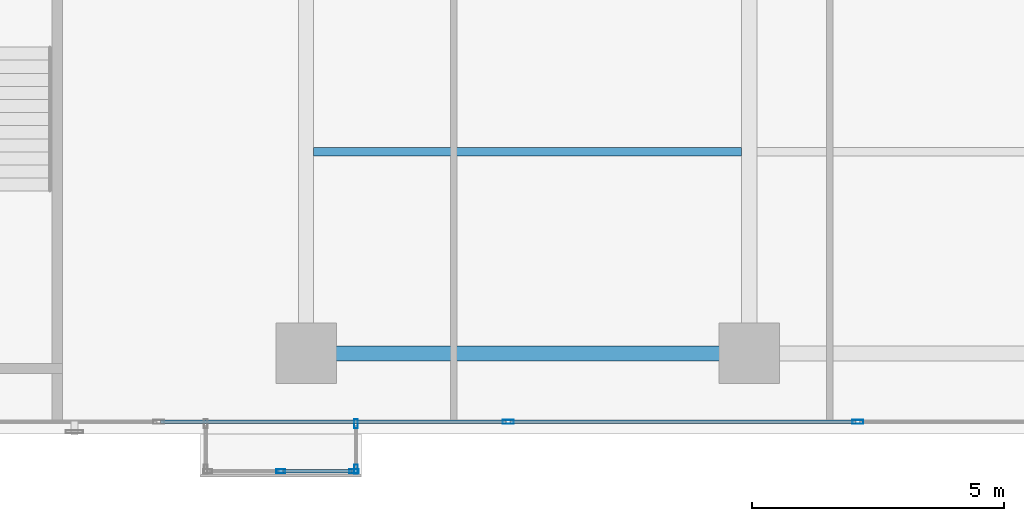
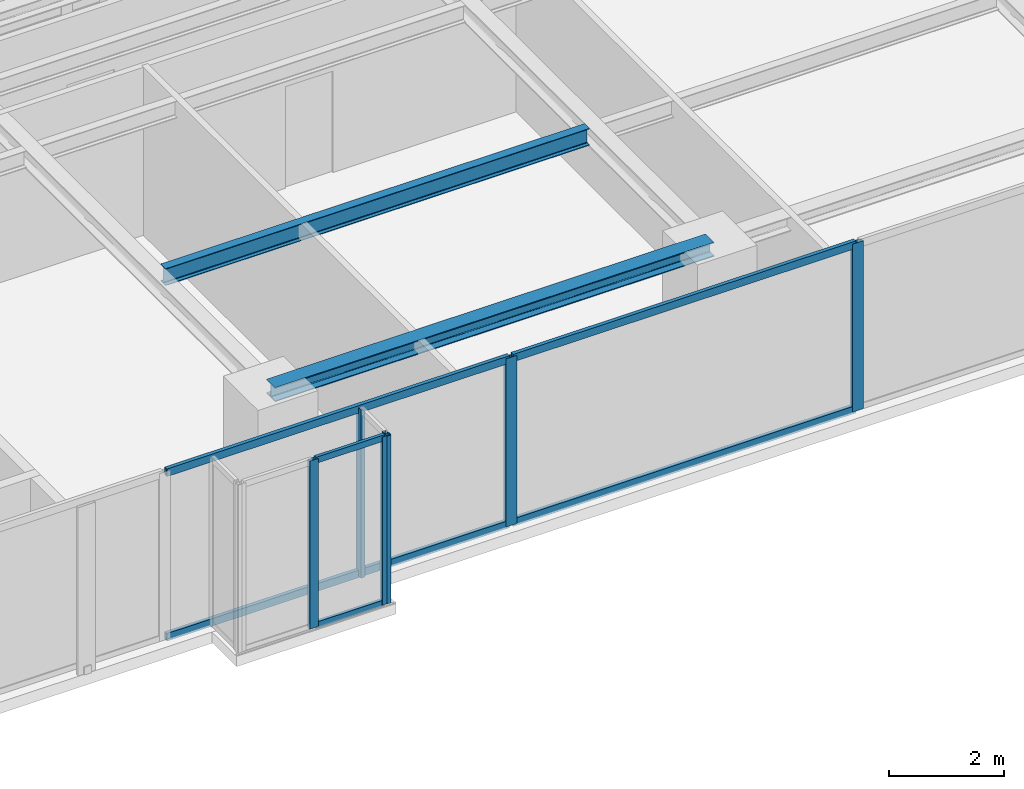
# One storey, part 11 of 27: 12 members, 2 beams, 3 elements without a shape of their own.
"""IFC4 building model written with IfcOpenShell, lengths in metres."""

from ifc_helpers import new_model, si_unit, direction, frame, origin, origin_with_axes, origin_2d, place, context, subcontext, project, spatial, hollow_rectangle, i_section, extrude, source, transform, mapped, material, layer, layer_set, material_profile, profile_set, type_object, element, aggregate, save


model = new_model("IFC4")

# Units and contexts
model_context = context("Model", 3, precision=1e-05, world=origin(), true_north=direction((0.0, 1.0)))
body_context = subcontext(model_context, "Body", "Model", "MODEL_VIEW")
ifc_project = project(units=[si_unit("LENGTHUNIT", "METRE"), si_unit("AREAUNIT", "SQUARE_METRE"), si_unit("VOLUMEUNIT", "CUBIC_METRE"), si_unit("PLANEANGLEUNIT", "RADIAN"), si_unit("MASSUNIT", "GRAM", prefix="KILO")], contexts=[model_context])

# Site, building, storey
site_placement = place(None, origin())
site = spatial("IfcSite", under=ifc_project, at=site_placement, CompositionType="ELEMENT")
building_placement = place(site_placement, origin())
building = spatial("IfcBuilding", under=site, at=building_placement, Name="Kolvaren Waterfront Exchange", CompositionType="ELEMENT")
storey_placement = place(building_placement, frame((0.0, 0.0, 191.800048828125)))
storey = spatial("IfcBuildingStorey", under=building, at=storey_placement, Name="L49", CompositionType="ELEMENT", Elevation=191.800048828125)

# Beams
ifc_material_1 = material(Name="Steel S355", Category="steel")
ifc_material_profile_1 = material_profile(ifc_material_1, i_section(OverallWidth=0.300048828125, OverallDepth=0.300048828125, WebThickness=0.010986328125, FlangeThickness=0.01904296875, FilletRadius=0.027099609375, at=origin_2d()), Name="HEB300")
ifc_profile_set_1 = profile_set([ifc_material_profile_1], Name="Steel S355")
beam_type_1 = type_object("IfcBeamType", Name="STR-BM-HEB300", PredefinedType="SPANDREL", material=ifc_profile_set_1)
beam_1_placement = place(storey_placement, frame((36.800048828125, 5.199951171875, 3.409912109375), z_axis=(1.0, 0.0, 0.0), x_axis=(0.0, 1.0, 0.0)))
element("IfcBeam", 1, at=beam_1_placement, inside=storey, type_object=beam_type_1, Name="L49 east-arm spandrel S3", PredefinedType="SPANDREL", context=body_context, shape_type="SweptSolid", body=[
    extrude(i_section(OverallWidth=0.300048828125, OverallDepth=0.300048828125, WebThickness=0.010986328125, FlangeThickness=0.01904296875, FilletRadius=0.027099609375, at=origin_2d()), origin(), (0.0, 0.0, 1.0), 8.800048828125),
])
ifc_material_profile_2 = material_profile(ifc_material_1, i_section(OverallWidth=0.169921875, OverallDepth=0.360107421875, WebThickness=0.008056640625, FlangeThickness=0.0126953125, FilletRadius=0.01806640625, at=origin_2d()), Name="IPE360")
ifc_profile_set_2 = profile_set([ifc_material_profile_2], Name="Steel S355")
beam_type_2 = type_object("IfcBeamType", Name="STR-BM-IPE360", PredefinedType="JOIST", material=ifc_profile_set_2)
beam_2_placement = place(storey_placement, frame((36.951904296875, 9.199951171875, 3.3798828125), z_axis=(1.0, 0.0, 0.0), x_axis=(0.0, 1.0, 0.0)))
element("IfcBeam", 2, at=beam_2_placement, inside=storey, type_object=beam_type_2, Name="L49 east-arm composite joist 3B", PredefinedType="JOIST", context=body_context, shape_type="SweptSolid", body=[
    extrude(i_section(OverallWidth=0.169921875, OverallDepth=0.360107421875, WebThickness=0.008056640625, FlangeThickness=0.0126953125, FilletRadius=0.01806640625, at=origin_2d()), origin(), (0.0, 0.0, 1.0), 8.49609375),
])

# Curtain wall, members
ifc_material_2 = material(Name="Anodised bronze aluminium 6063-T6", Category="aluminium")
ifc_layer_1 = layer(ifc_material_2, 0.219970703125, Name="Anodised bronze aluminium 6063-T6")
ifc_layer_set_1 = layer_set([ifc_layer_1], Name="Anodised bronze aluminium 6063-T6")
curtain_wall_type_1 = type_object("IfcCurtainWallType", Name="ARC-CW-SYS3", PredefinedType="USERDEFINED", material=ifc_layer_set_1)
curtain_wall_1_placement = place(storey_placement, origin())
curtain_wall_1 = element("IfcCurtainWall", 3, at=curtain_wall_1_placement, inside=storey, type_object=curtain_wall_type_1, Name="L49 stick curtain wall CW3 (CW-L49-BOX)", ObjectType="STICK CURTAIN WALL", PredefinedType="USERDEFINED")
ifc_material_profile_3 = material_profile(ifc_material_2, hollow_rectangle(XDim=0.06494140625, YDim=0.1298828125, WallThickness=0.00390625, at=origin_2d()), Name="ALU-TRN-130x65x4")
ifc_profile_set_3 = profile_set([ifc_material_profile_3], Name="Anodised bronze aluminium 6063-T6")
member_type_1 = type_object("IfcMemberType", Name="ARC-CWT-130", PredefinedType="USERDEFINED", material=ifc_profile_set_3)
shared_shape_1 = source(origin_with_axes(), body_context, "Body", "SweptSolid", [
    extrude(hollow_rectangle(XDim=0.06494140625, YDim=0.1298828125, WallThickness=0.00390625, at=origin_2d()), origin(), (0.0, 0.0, 1.0), 1.377685546875),
])
member_1_placement = place(storey_placement, frame((36.33740234375, 2.860107421875, 0.032470703125), z_axis=(1.0, 0.0, 0.0), x_axis=(0.0, 1.0, 0.0)))
member_1 = element("IfcMember", 4, at=member_1_placement, type_object=member_type_1, Name="CW3 transom 2.1", ObjectType="TRANSOM", PredefinedType="USERDEFINED", context=body_context, shape_type="MappedRepresentation", body=[
    mapped(shared_shape_1, transform((0.0, 0.0, 0.0), x_axis=(1.0, 0.0, 0.0), y_axis=(0.0, 1.0, 0.0), z_axis=(0.0, 0.0, 1.0), scale=1.0)),
])
member_2_placement = place(storey_placement, frame((36.33740234375, 2.860107421875, 3.52734375), z_axis=(1.0, 0.0, 0.0), x_axis=(0.0, 1.0, 0.0)))
member_2 = element("IfcMember", 5, at=member_2_placement, type_object=member_type_1, Name="CW3 transom 2.2", ObjectType="TRANSOM", PredefinedType="USERDEFINED", context=body_context, shape_type="MappedRepresentation", body=[
    mapped(shared_shape_1, transform((0.0, 0.0, 0.0), x_axis=(1.0, 0.0, 0.0), y_axis=(0.0, 1.0, 0.0), z_axis=(0.0, 0.0, 1.0), scale=1.0)),
])
ifc_material_profile_4 = material_profile(ifc_material_2, hollow_rectangle(XDim=0.074951171875, YDim=0.179931640625, WallThickness=0.00439453125, at=origin_2d()), Name="ALU-MUL-180x75x4.5")
ifc_profile_set_4 = profile_set([ifc_material_profile_4], Name="Anodised bronze aluminium 6063-T6")
member_type_2 = type_object("IfcMemberType", Name="ARC-CWM-180", PredefinedType="MULLION", material=ifc_profile_set_4)
shared_shape_2 = source(origin_with_axes(), body_context, "Body", "SweptSolid", [
    extrude(hollow_rectangle(XDim=0.074951171875, YDim=0.179931640625, WallThickness=0.00439453125, at=origin_2d()), origin(), (0.0, 0.0, 1.0), 3.56005859375),
])
member_3_placement = place(storey_placement, frame((36.300048828125, 2.860107421875, 0.0), z_axis=(0.0, 0.0, 1.0), x_axis=(0.0, 1.0, 0.0)))
member_3 = element("IfcMember", 6, at=member_3_placement, type_object=member_type_2, Name="CW3 mullion 2", PredefinedType="MULLION", context=body_context, shape_type="MappedRepresentation", body=[
    mapped(shared_shape_2, transform((0.0, 0.0, 0.0), x_axis=(1.0, 0.0, 0.0), y_axis=(0.0, 1.0, 0.0), z_axis=(0.0, 0.0, 1.0), scale=1.0)),
])
member_4_placement = place(storey_placement, frame((37.75244140625, 2.860107421875, 0.0), z_axis=(0.0, 0.0, 1.0), x_axis=(0.0, 1.0, 0.0)))
member_4 = element("IfcMember", 7, at=member_4_placement, type_object=member_type_2, Name="CW3 mullion 3", PredefinedType="MULLION", context=body_context, shape_type="MappedRepresentation", body=[
    mapped(shared_shape_2, transform((0.0, 0.0, 0.0), x_axis=(1.0, 0.0, 0.0), y_axis=(0.0, 1.0, 0.0), z_axis=(0.0, 0.0, 1.0), scale=1.0)),
])
aggregate(curtain_wall_1, [member_3, member_4, member_1, member_2])

curtain_wall_2_placement = place(storey_placement, origin())
curtain_wall_2 = element("IfcCurtainWall", 8, at=curtain_wall_2_placement, inside=storey, type_object=curtain_wall_type_1, Name="L49 stick curtain wall CW3 (CW-L49-BOX-E)", ObjectType="STICK CURTAIN WALL", PredefinedType="USERDEFINED")
member_5_placement = place(storey_placement, frame((37.7900390625, 2.8974609375, 0.0), z_axis=(0.0, 0.0, 1.0), x_axis=(-1.0, 0.0, 0.0)))
member_5 = element("IfcMember", 9, at=member_5_placement, type_object=member_type_2, Name="CW3 mullion 1", PredefinedType="MULLION", context=body_context, shape_type="MappedRepresentation", body=[
    mapped(shared_shape_2, transform((0.0, 0.0, 0.0), x_axis=(1.0, 0.0, 0.0), y_axis=(0.0, 1.0, 0.0), z_axis=(0.0, 0.0, 1.0), scale=1.0)),
])
member_6_placement = place(storey_placement, frame((37.7900390625, 3.802490234375, 0.0), z_axis=(0.0, 0.0, 1.0), x_axis=(-1.0, 0.0, 0.0)))
member_6 = element("IfcMember", 10, at=member_6_placement, type_object=member_type_2, Name="CW3 mullion 2", PredefinedType="MULLION", context=body_context, shape_type="MappedRepresentation", body=[
    mapped(shared_shape_2, transform((0.0, 0.0, 0.0), x_axis=(1.0, 0.0, 0.0), y_axis=(0.0, 1.0, 0.0), z_axis=(0.0, 0.0, 1.0), scale=1.0)),
])
aggregate(curtain_wall_2, [member_5, member_6])

ifc_layer_2 = layer(ifc_material_2, 0.219970703125, Name="Anodised bronze aluminium 6063-T6")
ifc_layer_set_2 = layer_set([ifc_layer_2], Name="Anodised bronze aluminium 6063-T6")
curtain_wall_type_2 = type_object("IfcCurtainWallType", Name="ARC-CW-SYS1", PredefinedType="USERDEFINED", material=ifc_layer_set_2)
curtain_wall_3_placement = place(storey_placement, origin())
curtain_wall_3 = element("IfcCurtainWall", 11, at=curtain_wall_3_placement, inside=storey, type_object=curtain_wall_type_2, Name="L49 stick curtain wall CW1 (CW-L49-S)", ObjectType="STICK CURTAIN WALL", PredefinedType="USERDEFINED")
ifc_material_3 = material(Name="Anodised aluminium 6063-T6", Category="aluminium")
ifc_material_profile_5 = material_profile(ifc_material_3, hollow_rectangle(XDim=0.080078125, YDim=0.219970703125, WallThickness=0.0048828125, at=origin_2d()), Name="ALU-MUL-220x80x5")
ifc_profile_set_5 = profile_set([ifc_material_profile_5], Name="Anodised aluminium 6063-T6")
member_type_3 = type_object("IfcMemberType", Name="ARC-CWM-220", PredefinedType="MULLION", material=ifc_profile_set_5)
shared_shape_3 = source(origin_with_axes(), body_context, "Body", "SweptSolid", [
    extrude(hollow_rectangle(XDim=0.080078125, YDim=0.219970703125, WallThickness=0.0048828125, at=origin_2d()), origin(), (0.0, 0.0, 1.0), 3.56005859375),
])
member_7_placement = place(storey_placement, frame((40.814208984375, 3.840087890625, 0.0), z_axis=(0.0, 0.0, 1.0), x_axis=(0.0, 1.0, 0.0)))
member_7 = element("IfcMember", 12, at=member_7_placement, type_object=member_type_3, Name="CW1 mullion 6", PredefinedType="MULLION", context=body_context, shape_type="MappedRepresentation", body=[
    mapped(shared_shape_3, transform((0.0, 0.0, 0.0), x_axis=(1.0, 0.0, 0.0), y_axis=(0.0, 1.0, 0.0), z_axis=(0.0, 0.0, 1.0), scale=1.0)),
])
member_8_placement = place(storey_placement, frame((47.757080078125, 3.840087890625, 0.0), z_axis=(0.0, 0.0, 1.0), x_axis=(0.0, 1.0, 0.0)))
member_8 = element("IfcMember", 13, at=member_8_placement, type_object=member_type_3, Name="CW1 mullion 7", PredefinedType="MULLION", context=body_context, shape_type="MappedRepresentation", body=[
    mapped(shared_shape_3, transform((0.0, 0.0, 0.0), x_axis=(1.0, 0.0, 0.0), y_axis=(0.0, 1.0, 0.0), z_axis=(0.0, 0.0, 1.0), scale=1.0)),
])
ifc_material_profile_6 = material_profile(ifc_material_3, hollow_rectangle(XDim=0.074951171875, YDim=0.159912109375, WallThickness=0.00439453125, at=origin_2d()), Name="ALU-TRN-160x75x4.5")
ifc_profile_set_6 = profile_set([ifc_material_profile_6], Name="Anodised aluminium 6063-T6")
member_type_4 = type_object("IfcMemberType", Name="ARC-CWT-160", PredefinedType="USERDEFINED", material=ifc_profile_set_6)
shared_shape_4 = source(origin_with_axes(), body_context, "Body", "SweptSolid", [
    extrude(hollow_rectangle(XDim=0.074951171875, YDim=0.159912109375, WallThickness=0.00439453125, at=origin_2d()), origin(), (0.0, 0.0, 1.0), 6.86279296875),
])
member_9_placement = place(storey_placement, frame((33.911376953125, 3.840087890625, 0.037353515625), z_axis=(1.0, 0.0, 0.0), x_axis=(0.0, 1.0, 0.0)))
member_9 = element("IfcMember", 14, at=member_9_placement, type_object=member_type_4, Name="CW1 transom 5.1", ObjectType="TRANSOM", PredefinedType="USERDEFINED", context=body_context, shape_type="MappedRepresentation", body=[
    mapped(shared_shape_4, transform((0.0, 0.0, 0.0), x_axis=(1.0, 0.0, 0.0), y_axis=(0.0, 1.0, 0.0), z_axis=(0.0, 0.0, 1.0), scale=1.0)),
])
member_10_placement = place(storey_placement, frame((33.911376953125, 3.840087890625, 3.5224609375), z_axis=(1.0, 0.0, 0.0), x_axis=(0.0, 1.0, 0.0)))
member_10 = element("IfcMember", 15, at=member_10_placement, type_object=member_type_4, Name="CW1 transom 5.2", ObjectType="TRANSOM", PredefinedType="USERDEFINED", context=body_context, shape_type="MappedRepresentation", body=[
    mapped(shared_shape_4, transform((0.0, 0.0, 0.0), x_axis=(1.0, 0.0, 0.0), y_axis=(0.0, 1.0, 0.0), z_axis=(0.0, 0.0, 1.0), scale=1.0)),
])
member_11_placement = place(storey_placement, frame((40.854248046875, 3.840087890625, 0.037353515625), z_axis=(1.0, 0.0, 0.0), x_axis=(0.0, 1.0, 0.0)))
member_11 = element("IfcMember", 16, at=member_11_placement, type_object=member_type_4, Name="CW1 transom 6.1", ObjectType="TRANSOM", PredefinedType="USERDEFINED", context=body_context, shape_type="MappedRepresentation", body=[
    mapped(shared_shape_4, transform((0.0, 0.0, 0.0), x_axis=(1.0, 0.0, 0.0), y_axis=(0.0, 1.0, 0.0), z_axis=(0.0, 0.0, 1.0), scale=1.0)),
])
member_12_placement = place(storey_placement, frame((40.854248046875, 3.840087890625, 3.5224609375), z_axis=(1.0, 0.0, 0.0), x_axis=(0.0, 1.0, 0.0)))
member_12 = element("IfcMember", 17, at=member_12_placement, type_object=member_type_4, Name="CW1 transom 6.2", ObjectType="TRANSOM", PredefinedType="USERDEFINED", context=body_context, shape_type="MappedRepresentation", body=[
    mapped(shared_shape_4, transform((0.0, 0.0, 0.0), x_axis=(1.0, 0.0, 0.0), y_axis=(0.0, 1.0, 0.0), z_axis=(0.0, 0.0, 1.0), scale=1.0)),
])
aggregate(curtain_wall_3, [member_7, member_8, member_9, member_10, member_11, member_12])

save(model, "model.ifc")
